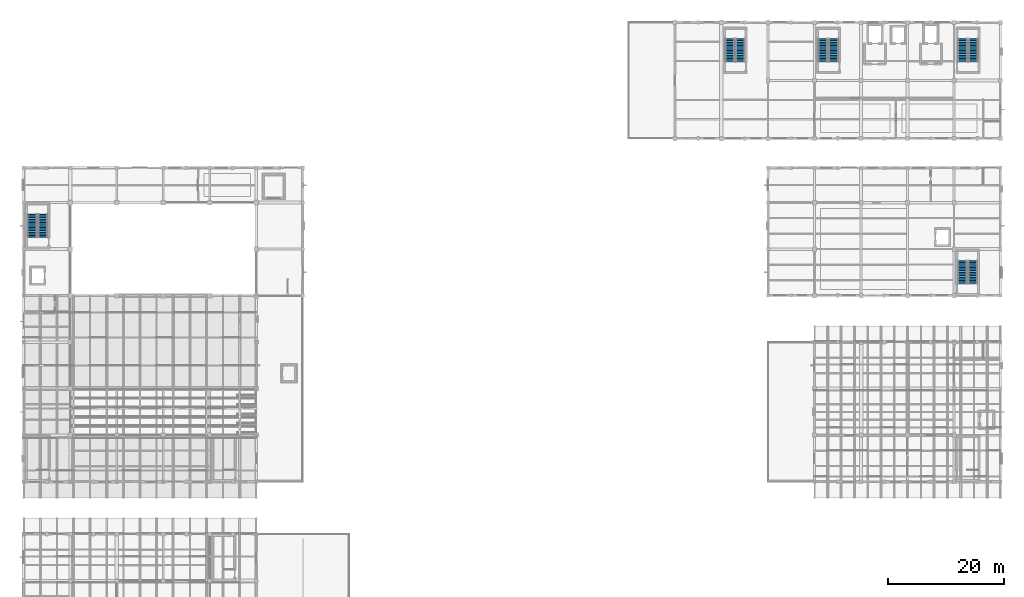
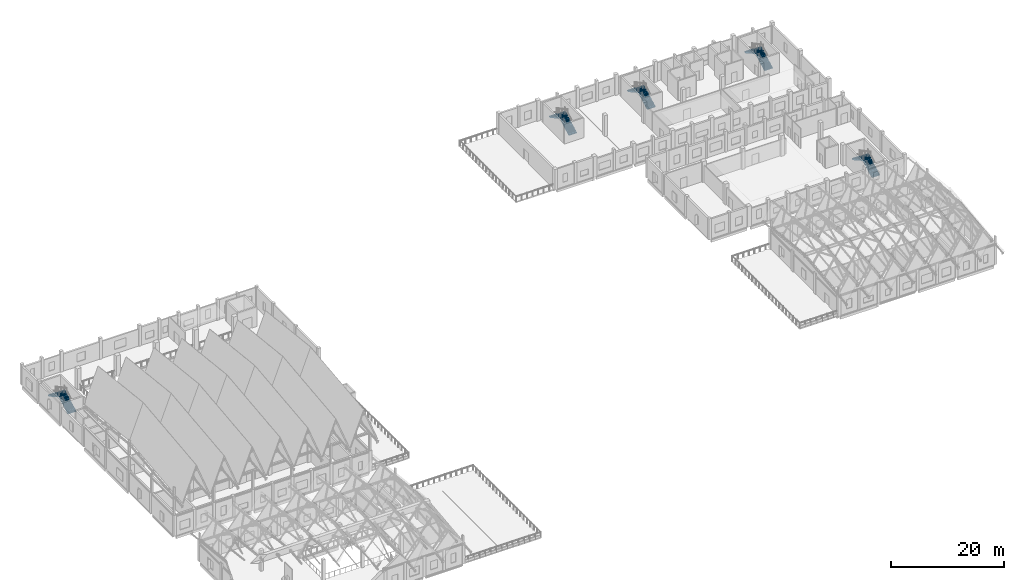
# One storey, part 52 of 77: 10 stair flights, 5 elements without a shape of their own.
"""IFC4 building model written with IfcOpenShell, lengths in metres."""

from ifc_helpers import new_model, si_unit, direction, frame, origin, place, context, subcontext, project, spatial, polyline, outline, extrude, material, type_object, element, aggregate, save


model = new_model("IFC4")

# Units and contexts
model_context = context("Model", 3, precision=1e-05, world=origin(), true_north=direction((0.0, 1.0)))
body_context = subcontext(model_context, "Body", "Model", "MODEL_VIEW")
ifc_project = project(units=[si_unit("LENGTHUNIT", "METRE"), si_unit("AREAUNIT", "SQUARE_METRE"), si_unit("VOLUMEUNIT", "CUBIC_METRE"), si_unit("PLANEANGLEUNIT", "RADIAN"), si_unit("MASSUNIT", "GRAM", prefix="KILO")], contexts=[model_context])

# Site, building, storey
site_placement = place(None, origin())
site = spatial("IfcSite", under=ifc_project, at=site_placement, CompositionType="ELEMENT")
building_placement = place(site_placement, origin())
building = spatial("IfcBuilding", under=site, at=building_placement, Name="Luwemba Playhouse", CompositionType="ELEMENT")
storey_placement = place(building_placement, frame((0.0, 0.0, 9.300048828125)))
storey = spatial("IfcBuildingStorey", under=building, at=storey_placement, Name="L02", CompositionType="ELEMENT", Elevation=9.300048828125)

# Stair, stair flights
ifc_material = material(Name="Concrete C40/50", Category="concrete")
stair_type_1 = type_object("IfcStairType", Name="STR-DL-04", PredefinedType="HALF_TURN_STAIR", material=ifc_material)
stair_1_placement = place(storey_placement, origin())
stair_1 = element("IfcStair", 1, at=stair_1_placement, inside=storey, type_object=stair_type_1, Name="L02 Stage House West Escape Stair", PredefinedType="HALF_TURN_STAIR")
stair_flight_type_1 = type_object("IfcStairFlightType", Name="SFL-DL-04", PredefinedType="STRAIGHT", material=ifc_material)
stair_flight_1_placement = place(storey_placement, frame((7.324951171875, 78.0400390625, 0.0), z_axis=(0.0, 0.0, 1.0), x_axis=(0.0, 1.0, 0.0)))
stair_flight_1 = element("IfcStairFlight", 2, at=stair_flight_1_placement, type_object=stair_flight_type_1, Name="ST-03 flight 1", NumberOfRisers=15, NumberOfTreads=14, PredefinedType="STRAIGHT", RiserHeight=0.15, TreadLength=0.28, context=body_context, shape_type="SweptSolid", body=[
    extrude(outline(polyline([(-0.06005859375, -0.10009765625), (-0.06005859375, 0.0), (0.0, 0.0), (0.0, 0.14990234375), (0.280029296875, 0.14990234375), (0.280029296875, 0.300048828125), (0.56005859375, 0.300048828125), (0.56005859375, 0.449951171875), (0.840087890625, 0.449951171875), (0.840087890625, 0.60009765625), (1.1201171875, 0.60009765625), (1.1201171875, 0.75), (1.39990234375, 0.75), (1.39990234375, 0.89990234375), (1.679931640625, 0.89990234375), (1.679931640625, 1.050048828125), (1.9599609375, 1.050048828125), (1.9599609375, 1.199951171875), (2.239990234375, 1.199951171875), (2.239990234375, 1.35009765625), (2.52001953125, 1.35009765625), (2.52001953125, 1.5), (2.800048828125, 1.5), (2.800048828125, 1.64990234375), (3.080078125, 1.64990234375), (3.080078125, 1.800048828125), (3.360107421875, 1.800048828125), (3.360107421875, 1.949951171875), (3.639892578125, 1.949951171875), (3.639892578125, 2.10009765625), (3.919921875, 2.10009765625), (3.919921875, 2.25), (3.97998046875, 2.25), (3.97998046875, 2.090087890625), (3.919921875, 1.929931640625), (0.3173828125, -0.10009765625), (-0.06005859375, -0.10009765625)])), frame((0.0, 0.824951171875, 0.0), z_axis=(0.0, -1.0, 0.0), x_axis=(1.0, 0.0, 0.0)), (0.0, 0.0, 1.0), 1.64990234375),
])
stair_flight_2_placement = place(storey_placement, frame((5.47509765625, 81.9599609375, 2.25), z_axis=(0.0, 0.0, 1.0), x_axis=(0.0, -1.0, 0.0)))
stair_flight_2 = element("IfcStairFlight", 3, at=stair_flight_2_placement, type_object=stair_flight_type_1, Name="ST-03 flight 2", NumberOfRisers=15, NumberOfTreads=14, PredefinedType="STRAIGHT", RiserHeight=0.15, TreadLength=0.28, context=body_context, shape_type="SweptSolid", body=[
    extrude(outline(polyline([(-0.06005859375, -0.10009765625), (-0.06005859375, 0.0), (0.0, 0.0), (0.0, 0.14990234375), (0.280029296875, 0.14990234375), (0.280029296875, 0.300048828125), (0.56005859375, 0.300048828125), (0.56005859375, 0.449951171875), (0.840087890625, 0.449951171875), (0.840087890625, 0.60009765625), (1.1201171875, 0.60009765625), (1.1201171875, 0.75), (1.39990234375, 0.75), (1.39990234375, 0.89990234375), (1.679931640625, 0.89990234375), (1.679931640625, 1.050048828125), (1.9599609375, 1.050048828125), (1.9599609375, 1.199951171875), (2.239990234375, 1.199951171875), (2.239990234375, 1.35009765625), (2.52001953125, 1.35009765625), (2.52001953125, 1.5), (2.800048828125, 1.5), (2.800048828125, 1.64990234375), (3.080078125, 1.64990234375), (3.080078125, 1.800048828125), (3.360107421875, 1.800048828125), (3.360107421875, 1.949951171875), (3.639892578125, 1.949951171875), (3.639892578125, 2.10009765625), (3.919921875, 2.10009765625), (3.919921875, 2.25), (3.97998046875, 2.25), (3.97998046875, 2.090087890625), (3.919921875, 1.929931640625), (0.3173828125, -0.10009765625), (-0.06005859375, -0.10009765625)])), frame((0.0, 0.824951171875, 0.0), z_axis=(0.0, -1.0, 0.0), x_axis=(1.0, 0.0, 0.0)), (0.0, 0.0, 1.0), 1.64990234375),
])
aggregate(stair_1, [stair_flight_1, stair_flight_2])

stair_2_placement = place(storey_placement, origin())
stair_2 = element("IfcStair", 4, at=stair_2_placement, inside=storey, type_object=stair_type_1, Name="L02 Conservatory Firefighting Escape Stair", PredefinedType="HALF_TURN_STAIR")
stair_flight_3_placement = place(storey_placement, frame((143.324951171875, 108.199951171875, 0.0), z_axis=(0.0, 0.0, 1.0), x_axis=(0.0, 1.0, 0.0)))
stair_flight_3 = element("IfcStairFlight", 5, at=stair_flight_3_placement, type_object=stair_flight_type_1, Name="ST-09 flight 1", NumberOfRisers=15, NumberOfTreads=14, PredefinedType="STRAIGHT", RiserHeight=0.15, TreadLength=0.28, context=body_context, shape_type="SweptSolid", body=[
    extrude(outline(polyline([(-0.06005859375, -0.10009765625), (-0.06005859375, 0.0), (0.0, 0.0), (0.0, 0.14990234375), (0.280029296875, 0.14990234375), (0.280029296875, 0.300048828125), (0.56005859375, 0.300048828125), (0.56005859375, 0.449951171875), (0.840087890625, 0.449951171875), (0.840087890625, 0.60009765625), (1.1201171875, 0.60009765625), (1.1201171875, 0.75), (1.39990234375, 0.75), (1.39990234375, 0.89990234375), (1.679931640625, 0.89990234375), (1.679931640625, 1.050048828125), (1.9599609375, 1.050048828125), (1.9599609375, 1.199951171875), (2.239990234375, 1.199951171875), (2.239990234375, 1.35009765625), (2.52001953125, 1.35009765625), (2.52001953125, 1.5), (2.800048828125, 1.5), (2.800048828125, 1.64990234375), (3.080078125, 1.64990234375), (3.080078125, 1.800048828125), (3.360107421875, 1.800048828125), (3.360107421875, 1.949951171875), (3.639892578125, 1.949951171875), (3.639892578125, 2.10009765625), (3.919921875, 2.10009765625), (3.919921875, 2.25), (3.97998046875, 2.25), (3.97998046875, 2.090087890625), (3.919921875, 1.929931640625), (0.3173828125, -0.10009765625), (-0.06005859375, -0.10009765625)])), frame((0.0, 0.824951171875, 0.0), z_axis=(0.0, -1.0, 0.0), x_axis=(1.0, 0.0, 0.0)), (0.0, 0.0, 1.0), 1.64990234375),
])
stair_flight_4_placement = place(storey_placement, frame((141.47509765625, 112.1201171875, 2.25), z_axis=(0.0, 0.0, 1.0), x_axis=(0.0, -1.0, 0.0)))
stair_flight_4 = element("IfcStairFlight", 6, at=stair_flight_4_placement, type_object=stair_flight_type_1, Name="ST-09 flight 2", NumberOfRisers=15, NumberOfTreads=14, PredefinedType="STRAIGHT", RiserHeight=0.15, TreadLength=0.28, context=body_context, shape_type="SweptSolid", body=[
    extrude(outline(polyline([(-0.06005859375, -0.10009765625), (-0.06005859375, 0.0), (0.0, 0.0), (0.0, 0.14990234375), (0.280029296875, 0.14990234375), (0.280029296875, 0.300048828125), (0.56005859375, 0.300048828125), (0.56005859375, 0.449951171875), (0.840087890625, 0.449951171875), (0.840087890625, 0.60009765625), (1.1201171875, 0.60009765625), (1.1201171875, 0.75), (1.39990234375, 0.75), (1.39990234375, 0.89990234375), (1.679931640625, 0.89990234375), (1.679931640625, 1.050048828125), (1.9599609375, 1.050048828125), (1.9599609375, 1.199951171875), (2.239990234375, 1.199951171875), (2.239990234375, 1.35009765625), (2.52001953125, 1.35009765625), (2.52001953125, 1.5), (2.800048828125, 1.5), (2.800048828125, 1.64990234375), (3.080078125, 1.64990234375), (3.080078125, 1.800048828125), (3.360107421875, 1.800048828125), (3.360107421875, 1.949951171875), (3.639892578125, 1.949951171875), (3.639892578125, 2.10009765625), (3.919921875, 2.10009765625), (3.919921875, 2.25), (3.97998046875, 2.25), (3.97998046875, 2.090087890625), (3.919921875, 1.929931640625), (0.3173828125, -0.10009765625), (-0.06005859375, -0.10009765625)])), frame((0.0, 0.824951171875, 0.0), z_axis=(0.0, -1.0, 0.0), x_axis=(1.0, 0.0, 0.0)), (0.0, 0.0, 1.0), 1.64990234375),
])
aggregate(stair_2, [stair_flight_3, stair_flight_4])

stair_3_placement = place(storey_placement, origin())
stair_3 = element("IfcStair", 7, at=stair_3_placement, inside=storey, type_object=stair_type_1, Name="L02 Conservatory East Escape Stair", PredefinedType="HALF_TURN_STAIR")
stair_flight_5_placement = place(storey_placement, frame((167.324951171875, 108.199951171875, 0.0), z_axis=(0.0, 0.0, 1.0), x_axis=(0.0, 1.0, 0.0)))
stair_flight_5 = element("IfcStairFlight", 8, at=stair_flight_5_placement, type_object=stair_flight_type_1, Name="ST-10 flight 1", NumberOfRisers=15, NumberOfTreads=14, PredefinedType="STRAIGHT", RiserHeight=0.15, TreadLength=0.28, context=body_context, shape_type="SweptSolid", body=[
    extrude(outline(polyline([(-0.06005859375, -0.10009765625), (-0.06005859375, 0.0), (0.0, 0.0), (0.0, 0.14990234375), (0.280029296875, 0.14990234375), (0.280029296875, 0.300048828125), (0.56005859375, 0.300048828125), (0.56005859375, 0.449951171875), (0.840087890625, 0.449951171875), (0.840087890625, 0.60009765625), (1.1201171875, 0.60009765625), (1.1201171875, 0.75), (1.39990234375, 0.75), (1.39990234375, 0.89990234375), (1.679931640625, 0.89990234375), (1.679931640625, 1.050048828125), (1.9599609375, 1.050048828125), (1.9599609375, 1.199951171875), (2.239990234375, 1.199951171875), (2.239990234375, 1.35009765625), (2.52001953125, 1.35009765625), (2.52001953125, 1.5), (2.800048828125, 1.5), (2.800048828125, 1.64990234375), (3.080078125, 1.64990234375), (3.080078125, 1.800048828125), (3.360107421875, 1.800048828125), (3.360107421875, 1.949951171875), (3.639892578125, 1.949951171875), (3.639892578125, 2.10009765625), (3.919921875, 2.10009765625), (3.919921875, 2.25), (3.97998046875, 2.25), (3.97998046875, 2.090087890625), (3.919921875, 1.929931640625), (0.3173828125, -0.10009765625), (-0.06005859375, -0.10009765625)])), frame((0.0, 0.824951171875, 0.0), z_axis=(0.0, -1.0, 0.0), x_axis=(1.0, 0.0, 0.0)), (0.0, 0.0, 1.0), 1.64990234375),
])
stair_flight_6_placement = place(storey_placement, frame((165.47509765625, 112.1201171875, 2.25), z_axis=(0.0, 0.0, 1.0), x_axis=(0.0, -1.0, 0.0)))
stair_flight_6 = element("IfcStairFlight", 9, at=stair_flight_6_placement, type_object=stair_flight_type_1, Name="ST-10 flight 2", NumberOfRisers=15, NumberOfTreads=14, PredefinedType="STRAIGHT", RiserHeight=0.15, TreadLength=0.28, context=body_context, shape_type="SweptSolid", body=[
    extrude(outline(polyline([(-0.06005859375, -0.10009765625), (-0.06005859375, 0.0), (0.0, 0.0), (0.0, 0.14990234375), (0.280029296875, 0.14990234375), (0.280029296875, 0.300048828125), (0.56005859375, 0.300048828125), (0.56005859375, 0.449951171875), (0.840087890625, 0.449951171875), (0.840087890625, 0.60009765625), (1.1201171875, 0.60009765625), (1.1201171875, 0.75), (1.39990234375, 0.75), (1.39990234375, 0.89990234375), (1.679931640625, 0.89990234375), (1.679931640625, 1.050048828125), (1.9599609375, 1.050048828125), (1.9599609375, 1.199951171875), (2.239990234375, 1.199951171875), (2.239990234375, 1.35009765625), (2.52001953125, 1.35009765625), (2.52001953125, 1.5), (2.800048828125, 1.5), (2.800048828125, 1.64990234375), (3.080078125, 1.64990234375), (3.080078125, 1.800048828125), (3.360107421875, 1.800048828125), (3.360107421875, 1.949951171875), (3.639892578125, 1.949951171875), (3.639892578125, 2.10009765625), (3.919921875, 2.10009765625), (3.919921875, 2.25), (3.97998046875, 2.25), (3.97998046875, 2.090087890625), (3.919921875, 1.929931640625), (0.3173828125, -0.10009765625), (-0.06005859375, -0.10009765625)])), frame((0.0, 0.824951171875, 0.0), z_axis=(0.0, -1.0, 0.0), x_axis=(1.0, 0.0, 0.0)), (0.0, 0.0, 1.0), 1.64990234375),
])
aggregate(stair_3, [stair_flight_5, stair_flight_6])

stair_type_2 = type_object("IfcStairType", Name="STR-DL-06", PredefinedType="HALF_TURN_STAIR", material=ifc_material)
stair_4_placement = place(storey_placement, origin())
stair_4 = element("IfcStair", 10, at=stair_4_placement, inside=storey, type_object=stair_type_2, Name="L02 Black-Box Firefighting Escape Stair", PredefinedType="HALF_TURN_STAIR")
stair_flight_type_2 = type_object("IfcStairFlightType", Name="SFL-DL-06", PredefinedType="STRAIGHT", material=ifc_material)
stair_flight_7_placement = place(storey_placement, frame((167.25, 70.0400390625, 0.0), z_axis=(0.0, 0.0, 1.0), x_axis=(0.0, 1.0, 0.0)))
stair_flight_7 = element("IfcStairFlight", 11, at=stair_flight_7_placement, type_object=stair_flight_type_2, Name="ST-07 flight 1", NumberOfRisers=15, NumberOfTreads=14, PredefinedType="STRAIGHT", RiserHeight=0.15, TreadLength=0.28, context=body_context, shape_type="SweptSolid", body=[
    extrude(outline(polyline([(-0.06005859375, -0.10009765625), (-0.06005859375, 0.0), (0.0, 0.0), (0.0, 0.14990234375), (0.280029296875, 0.14990234375), (0.280029296875, 0.300048828125), (0.56005859375, 0.300048828125), (0.56005859375, 0.449951171875), (0.840087890625, 0.449951171875), (0.840087890625, 0.60009765625), (1.1201171875, 0.60009765625), (1.1201171875, 0.75), (1.39990234375, 0.75), (1.39990234375, 0.89990234375), (1.679931640625, 0.89990234375), (1.679931640625, 1.050048828125), (1.9599609375, 1.050048828125), (1.9599609375, 1.199951171875), (2.239990234375, 1.199951171875), (2.239990234375, 1.35009765625), (2.52001953125, 1.35009765625), (2.52001953125, 1.5), (2.800048828125, 1.5), (2.800048828125, 1.64990234375), (3.080078125, 1.64990234375), (3.080078125, 1.800048828125), (3.360107421875, 1.800048828125), (3.360107421875, 1.949951171875), (3.639892578125, 1.949951171875), (3.639892578125, 2.10009765625), (3.919921875, 2.10009765625), (3.919921875, 2.25), (3.97998046875, 2.25), (3.97998046875, 2.090087890625), (3.919921875, 1.929931640625), (0.3173828125, -0.10009765625), (-0.06005859375, -0.10009765625)])), frame((0.0, 0.800048828125, 0.0), z_axis=(0.0, -1.0, 0.0), x_axis=(1.0, 0.0, 0.0)), (0.0, 0.0, 1.0), 1.60009765625),
])
stair_flight_8_placement = place(storey_placement, frame((165.449951171875, 73.9599609375, 2.25), z_axis=(0.0, 0.0, 1.0), x_axis=(0.0, -1.0, 0.0)))
stair_flight_8 = element("IfcStairFlight", 12, at=stair_flight_8_placement, type_object=stair_flight_type_2, Name="ST-07 flight 2", NumberOfRisers=15, NumberOfTreads=14, PredefinedType="STRAIGHT", RiserHeight=0.15, TreadLength=0.28, context=body_context, shape_type="SweptSolid", body=[
    extrude(outline(polyline([(-0.06005859375, -0.10009765625), (-0.06005859375, 0.0), (0.0, 0.0), (0.0, 0.14990234375), (0.280029296875, 0.14990234375), (0.280029296875, 0.300048828125), (0.56005859375, 0.300048828125), (0.56005859375, 0.449951171875), (0.840087890625, 0.449951171875), (0.840087890625, 0.60009765625), (1.1201171875, 0.60009765625), (1.1201171875, 0.75), (1.39990234375, 0.75), (1.39990234375, 0.89990234375), (1.679931640625, 0.89990234375), (1.679931640625, 1.050048828125), (1.9599609375, 1.050048828125), (1.9599609375, 1.199951171875), (2.239990234375, 1.199951171875), (2.239990234375, 1.35009765625), (2.52001953125, 1.35009765625), (2.52001953125, 1.5), (2.800048828125, 1.5), (2.800048828125, 1.64990234375), (3.080078125, 1.64990234375), (3.080078125, 1.800048828125), (3.360107421875, 1.800048828125), (3.360107421875, 1.949951171875), (3.639892578125, 1.949951171875), (3.639892578125, 2.10009765625), (3.919921875, 2.10009765625), (3.919921875, 2.25), (3.97998046875, 2.25), (3.97998046875, 2.090087890625), (3.919921875, 1.929931640625), (0.3173828125, -0.10009765625), (-0.06005859375, -0.10009765625)])), frame((0.0, 0.800048828125, 0.0), z_axis=(0.0, -1.0, 0.0), x_axis=(1.0, 0.0, 0.0)), (0.0, 0.0, 1.0), 1.60009765625),
])
aggregate(stair_4, [stair_flight_7, stair_flight_8])

stair_5_placement = place(storey_placement, origin())
stair_5 = element("IfcStair", 13, at=stair_5_placement, inside=storey, type_object=stair_type_2, Name="L02 Conservatory West Escape Stair", PredefinedType="HALF_TURN_STAIR")
stair_flight_9_placement = place(storey_placement, frame((127.25, 108.199951171875, 0.0), z_axis=(0.0, 0.0, 1.0), x_axis=(0.0, 1.0, 0.0)))
stair_flight_9 = element("IfcStairFlight", 14, at=stair_flight_9_placement, type_object=stair_flight_type_2, Name="ST-16 flight 1", NumberOfRisers=15, NumberOfTreads=14, PredefinedType="STRAIGHT", RiserHeight=0.15, TreadLength=0.28, context=body_context, shape_type="SweptSolid", body=[
    extrude(outline(polyline([(-0.06005859375, -0.10009765625), (-0.06005859375, 0.0), (0.0, 0.0), (0.0, 0.14990234375), (0.280029296875, 0.14990234375), (0.280029296875, 0.300048828125), (0.56005859375, 0.300048828125), (0.56005859375, 0.449951171875), (0.840087890625, 0.449951171875), (0.840087890625, 0.60009765625), (1.1201171875, 0.60009765625), (1.1201171875, 0.75), (1.39990234375, 0.75), (1.39990234375, 0.89990234375), (1.679931640625, 0.89990234375), (1.679931640625, 1.050048828125), (1.9599609375, 1.050048828125), (1.9599609375, 1.199951171875), (2.239990234375, 1.199951171875), (2.239990234375, 1.35009765625), (2.52001953125, 1.35009765625), (2.52001953125, 1.5), (2.800048828125, 1.5), (2.800048828125, 1.64990234375), (3.080078125, 1.64990234375), (3.080078125, 1.800048828125), (3.360107421875, 1.800048828125), (3.360107421875, 1.949951171875), (3.639892578125, 1.949951171875), (3.639892578125, 2.10009765625), (3.919921875, 2.10009765625), (3.919921875, 2.25), (3.97998046875, 2.25), (3.97998046875, 2.090087890625), (3.919921875, 1.929931640625), (0.3173828125, -0.10009765625), (-0.06005859375, -0.10009765625)])), frame((0.0, 0.800048828125, 0.0), z_axis=(0.0, -1.0, 0.0), x_axis=(1.0, 0.0, 0.0)), (0.0, 0.0, 1.0), 1.60009765625),
])
stair_flight_10_placement = place(storey_placement, frame((125.449951171875, 112.1201171875, 2.25), z_axis=(0.0, 0.0, 1.0), x_axis=(0.0, -1.0, 0.0)))
stair_flight_10 = element("IfcStairFlight", 15, at=stair_flight_10_placement, type_object=stair_flight_type_2, Name="ST-16 flight 2", NumberOfRisers=15, NumberOfTreads=14, PredefinedType="STRAIGHT", RiserHeight=0.15, TreadLength=0.28, context=body_context, shape_type="SweptSolid", body=[
    extrude(outline(polyline([(-0.06005859375, -0.10009765625), (-0.06005859375, 0.0), (0.0, 0.0), (0.0, 0.14990234375), (0.280029296875, 0.14990234375), (0.280029296875, 0.300048828125), (0.56005859375, 0.300048828125), (0.56005859375, 0.449951171875), (0.840087890625, 0.449951171875), (0.840087890625, 0.60009765625), (1.1201171875, 0.60009765625), (1.1201171875, 0.75), (1.39990234375, 0.75), (1.39990234375, 0.89990234375), (1.679931640625, 0.89990234375), (1.679931640625, 1.050048828125), (1.9599609375, 1.050048828125), (1.9599609375, 1.199951171875), (2.239990234375, 1.199951171875), (2.239990234375, 1.35009765625), (2.52001953125, 1.35009765625), (2.52001953125, 1.5), (2.800048828125, 1.5), (2.800048828125, 1.64990234375), (3.080078125, 1.64990234375), (3.080078125, 1.800048828125), (3.360107421875, 1.800048828125), (3.360107421875, 1.949951171875), (3.639892578125, 1.949951171875), (3.639892578125, 2.10009765625), (3.919921875, 2.10009765625), (3.919921875, 2.25), (3.97998046875, 2.25), (3.97998046875, 2.090087890625), (3.919921875, 1.929931640625), (0.3173828125, -0.10009765625), (-0.06005859375, -0.10009765625)])), frame((0.0, 0.800048828125, 0.0), z_axis=(0.0, -1.0, 0.0), x_axis=(1.0, 0.0, 0.0)), (0.0, 0.0, 1.0), 1.60009765625),
])
aggregate(stair_5, [stair_flight_9, stair_flight_10])

save(model, "model.ifc")
